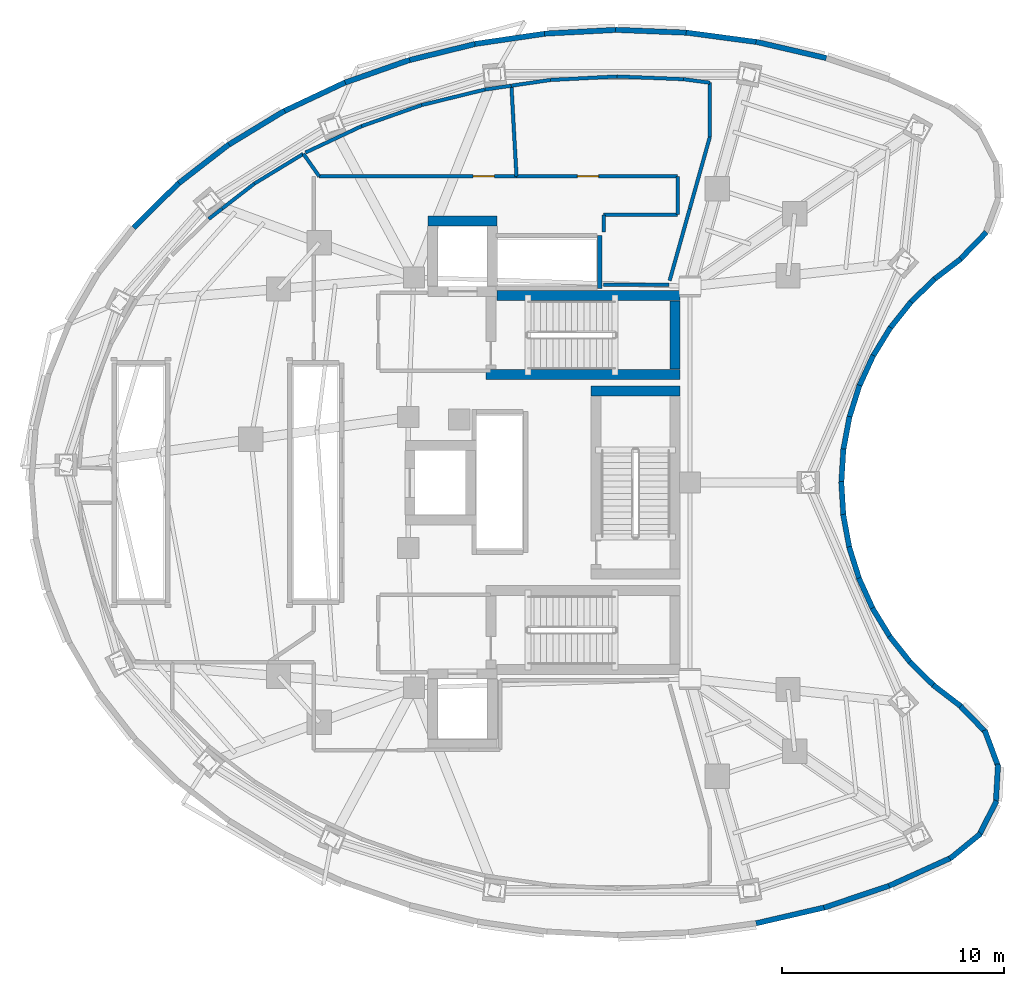
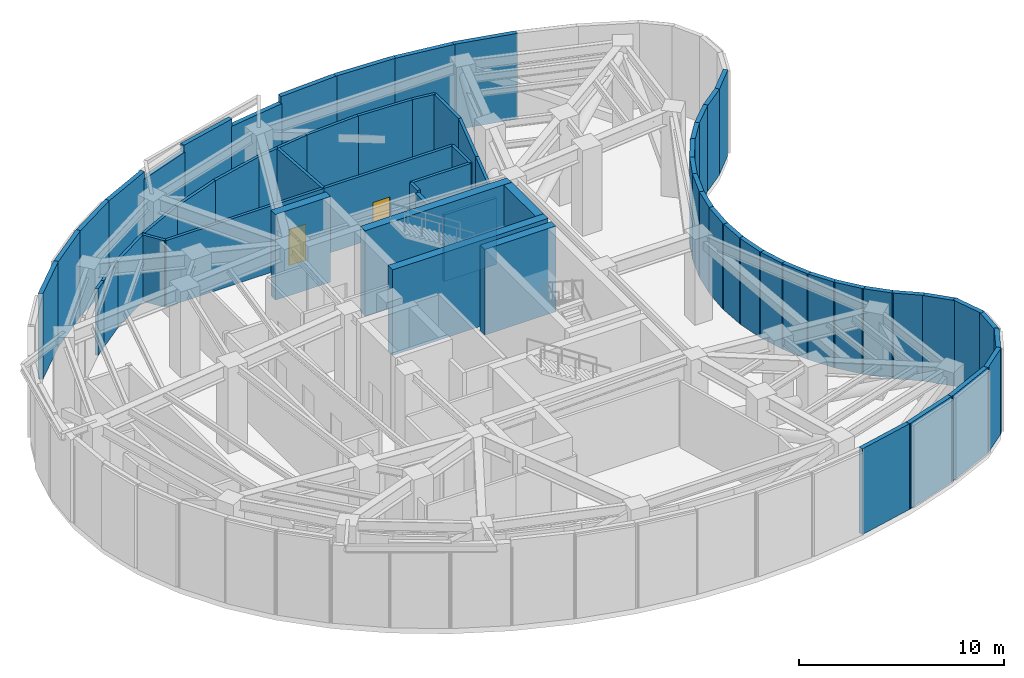
# One storey, part 6 of 10: 64 walls, 2 doors, 2 openings.
"""IFC4 building model written with IfcOpenShell, lengths in metres."""

from ifc_helpers import new_model, si_unit, direction, frame, frame_2d, origin, place, context, subcontext, project, spatial, rectangle, extrude, material, layer, layer_set, type_object, element, fill, save


model = new_model("IFC4")

# Units and contexts
model_context = context("Model", 3, precision=1e-05, world=origin(), true_north=direction((0.0, 1.0)))
body_context = subcontext(model_context, "Body", "Model", "MODEL_VIEW")
ifc_project = project(units=[si_unit("LENGTHUNIT", "METRE"), si_unit("AREAUNIT", "SQUARE_METRE"), si_unit("VOLUMEUNIT", "CUBIC_METRE"), si_unit("PLANEANGLEUNIT", "RADIAN"), si_unit("MASSUNIT", "GRAM", prefix="KILO")], contexts=[model_context])

# Site, building, storey
site_placement = place(None, origin())
site = spatial("IfcSite", under=ifc_project, at=site_placement, CompositionType="ELEMENT")
building_placement = place(site_placement, origin())
building = spatial("IfcBuilding", under=site, at=building_placement, Name="Korentha Bioscience Tower", CompositionType="ELEMENT")
storey_placement = place(building_placement, frame((0.0, 0.0, 148.800048828125)))
storey = spatial("IfcBuildingStorey", under=building, at=storey_placement, Name="L34", CompositionType="ELEMENT", Elevation=148.800048828125)

# Wall, opening, door
ifc_material_1 = material(Name="Gypsum-Clad Steel Stud", Category="steel")
ifc_layer_1 = layer(ifc_material_1, 0.159912109375, Name="Gypsum-Clad Steel Stud")
ifc_layer_set_1 = layer_set([ifc_layer_1], Name="Gypsum-Clad Steel Stud (IW-C160)")
wall_type_1 = type_object("IfcWallType", Name="Fire-Rated Corridor Partition Wall 160", PredefinedType="PARTITIONING", material=ifc_layer_set_1)
wall_1_placement = place(storey_placement, frame((37.0, 40.81005859375, 0.0), z_axis=(0.0, 0.0, 1.0), x_axis=(-1.0, 0.0, 0.0)))
wall_1 = element("IfcWall", 1, at=wall_1_placement, inside=storey, type_object=wall_type_1, Name="L34 Chilled-Water Plate Heat-Exchanger Plant 02 Entrance Wall", PredefinedType="PARTITIONING", context=body_context, shape_type="SweptSolid", body=[
    extrude(rectangle(XDim=7.27001953125, YDim=0.159912109375, at=frame_2d((3.635009765625, 0.0))), origin(), (0.0, 0.0, 1.0), 3.9599609375),
])
opening_1_placement = place(wall_1_placement, frame((3.570068359375, 0.0, 0.0)))
opening_1 = element("IfcOpeningElement", 2, at=opening_1_placement, cuts=wall_1, Name="Opening FD-120D", PredefinedType="OPENING", context=body_context, shape_type="SweptSolid", body=[
    extrude(rectangle(XDim=0.949951171875, YDim=2.14990234375, at=frame_2d((0.47509765625, 1.074951171875))), frame((0.0, 0.0947265625, 0.0), z_axis=(0.0, -1.0, 0.0), x_axis=(1.0, 0.0, 0.0)), (0.0, 0.0, 1.0), 0.189697265625),
])
ifc_material_2 = material(Name="Heavy-Duty Insulated Steel", Category="steel")
door_type = type_object("IfcDoorType", Name="Plant & Riser Fire Door 950x2150 Left", OperationType="SINGLE_SWING_LEFT", PredefinedType="DOOR", material=ifc_material_2)
door_1_placement = place(opening_1_placement, origin())
door_1 = element("IfcDoor", 3, at=door_1_placement, inside=storey, type_object=door_type, Name="L34 Chilled-Water Plate Heat-Exchanger Plant 02 Door", OperationType="SINGLE_SWING_LEFT", OverallHeight=2.14990234375, OverallWidth=0.949951171875, PredefinedType="DOOR", context=body_context, shape_type="SweptSolid", body=[
    extrude(rectangle(XDim=0.949951171875, YDim=2.14990234375, at=frame_2d((0.47509765625, 1.074951171875))), frame((0.0, 0.02490234375, 0.0), z_axis=(0.0, -1.0, 0.0), x_axis=(1.0, 0.0, 0.0)), (0.0, 0.0, 1.0), 0.050048828125),
])
fill(opening_1, door_1)

wall_2_placement = place(storey_placement, frame((29.719970703125, 40.81005859375, 0.0), z_axis=(0.0, 0.0, 1.0), x_axis=(-1.0, 0.0, 0.0)))
wall_2 = element("IfcWall", 4, at=wall_2_placement, inside=storey, type_object=wall_type_1, Name="L34 Refuge Safe Holding Room Entrance Wall", PredefinedType="PARTITIONING", context=body_context, shape_type="SweptSolid", body=[
    extrude(rectangle(XDim=8.887451171875, YDim=0.159912109375, at=frame_2d((4.44384765625, 0.0))), origin(), (0.0, 0.0, 1.0), 3.9599609375),
])
opening_2_placement = place(wall_2_placement, frame((0.989990234375, 0.0, 0.0)))
opening_2 = element("IfcOpeningElement", 5, at=opening_2_placement, cuts=wall_2, Name="Opening FD-120D", PredefinedType="OPENING", context=body_context, shape_type="SweptSolid", body=[
    extrude(rectangle(XDim=0.949951171875, YDim=2.14990234375, at=frame_2d((0.47509765625, 1.074951171875))), frame((0.0, 0.0947265625, 0.0), z_axis=(0.0, -1.0, 0.0), x_axis=(1.0, 0.0, 0.0)), (0.0, 0.0, 1.0), 0.189697265625),
])
door_2_placement = place(opening_2_placement, origin())
door_2 = element("IfcDoor", 6, at=door_2_placement, inside=storey, type_object=door_type, Name="L34 Refuge Safe Holding Room Door", OperationType="SINGLE_SWING_LEFT", OverallHeight=2.14990234375, OverallWidth=0.949951171875, PredefinedType="DOOR", context=body_context, shape_type="SweptSolid", body=[
    extrude(rectangle(XDim=0.949951171875, YDim=2.14990234375, at=frame_2d((0.47509765625, 1.074951171875))), frame((0.0, 0.02490234375, 0.0), z_axis=(0.0, -1.0, 0.0), x_axis=(1.0, 0.0, 0.0)), (0.0, 0.0, 1.0), 0.050048828125),
])
fill(opening_2, door_2)

# Walls
wall_3_placement = place(storey_placement, frame((29.501708984375, 44.8955078125, 0.0), z_axis=(0.0, 0.0, 1.0), x_axis=(0.989448077953, 0.144887891265, 0.0)))
element("IfcWall", 7, at=wall_3_placement, inside=storey, type_object=wall_type_1, Name="L34 Interior Partition 027", PredefinedType="PARTITIONING", context=body_context, shape_type="SweptSolid", body=[
    extrude(rectangle(XDim=1.7744140625, YDim=0.159912109375, at=frame_2d((0.88720703125, 0.0))), origin(), (0.0, 0.0, 1.0), 3.9599609375),
])
wall_4_placement = place(storey_placement, frame((31.257568359375, 45.152587890625, 0.0), z_axis=(0.0, 0.0, 1.0), x_axis=(0.998638877547, 0.052157379655, 0.0)))
element("IfcWall", 8, at=wall_4_placement, inside=storey, type_object=wall_type_1, Name="L34 Interior Partition 028", PredefinedType="PARTITIONING", context=body_context, shape_type="SweptSolid", body=[
    extrude(rectangle(XDim=3.00048828125, YDim=0.159912109375, at=frame_2d((1.500244140625, 0.0))), origin(), (0.0, 0.0, 1.0), 3.9599609375),
])
wall_5_placement = place(storey_placement, frame((34.254150390625, 45.30908203125, 0.0), z_axis=(0.0, 0.0, 1.0), x_axis=(0.999189222559, -0.040260371605, 0.0)))
element("IfcWall", 9, at=wall_5_placement, inside=storey, type_object=wall_type_1, Name="L34 Interior Partition 029", PredefinedType="PARTITIONING", context=body_context, shape_type="SweptSolid", body=[
    extrude(rectangle(XDim=3.001708984375, YDim=0.159912109375, at=frame_2d((1.5009765625, 0.0))), origin(), (0.0, 0.0, 1.0), 3.9599609375),
])
wall_6_placement = place(storey_placement, frame((37.253662109375, 45.188232421875, 0.0), z_axis=(0.0, 0.0, 1.0), x_axis=(0.991155201979, -0.132707820379, 0.0)))
element("IfcWall", 10, at=wall_6_placement, inside=storey, type_object=wall_type_1, Name="L34 Interior Partition 030", PredefinedType="PARTITIONING", context=body_context, shape_type="SweptSolid", body=[
    extrude(rectangle(XDim=1.205078125, YDim=0.159912109375, at=frame_2d((0.6025390625, 0.0))), origin(), (0.0, 0.0, 1.0), 3.9599609375),
])
wall_7_placement = place(storey_placement, frame((38.447998046875, 45.028076171875, 0.0), z_axis=(0.0, 0.0, 1.0), x_axis=(0.0, -1.0, 0.0)))
element("IfcWall", 11, at=wall_7_placement, inside=storey, type_object=wall_type_1, Name="L34 Interior Partition 031", PredefinedType="PARTITIONING", context=body_context, shape_type="SweptSolid", body=[
    extrude(rectangle(XDim=2.443359375, YDim=0.159912109375, at=frame_2d((1.2216796875, 0.0))), origin(), (0.0, 0.0, 1.0), 3.9599609375),
])
wall_8_placement = place(storey_placement, frame((38.447998046875, 42.58447265625, 0.0), z_axis=(0.0, 0.0, 1.0), x_axis=(-0.269481539503, -0.963005555471, 0.0)))
element("IfcWall", 12, at=wall_8_placement, inside=storey, type_object=wall_type_1, Name="L34 Interior Partition 032", PredefinedType="PARTITIONING", context=body_context, shape_type="SweptSolid", body=[
    extrude(rectangle(XDim=3.356689453125, YDim=0.159912109375, at=frame_2d((1.67822265625, 0.0))), origin(), (0.0, 0.0, 1.0), 3.9599609375),
])
wall_9_placement = place(storey_placement, frame((37.542236328125, 39.347900390625, 0.0), z_axis=(0.0, 0.0, 1.0), x_axis=(-0.269438917313, -0.963017481584, 0.0)))
element("IfcWall", 13, at=wall_9_placement, inside=storey, type_object=wall_type_1, Name="L34 Interior Partition 033", PredefinedType="PARTITIONING", context=body_context, shape_type="SweptSolid", body=[
    extrude(rectangle(XDim=3.3662109375, YDim=0.159912109375, at=frame_2d((1.68310546875, 0.0))), origin(), (0.0, 0.0, 1.0), 3.9599609375),
])
wall_10_placement = place(storey_placement, frame((36.602294921875, 35.909912109375, 0.0), z_axis=(0.0, 0.0, 1.0), x_axis=(-1.0, 0.0, 0.0)))
element("IfcWall", 14, at=wall_10_placement, inside=storey, type_object=wall_type_1, Name="L34 Interior Partition 034", PredefinedType="PARTITIONING", context=body_context, shape_type="SweptSolid", body=[
    extrude(rectangle(XDim=2.952392578125, YDim=0.159912109375, at=frame_2d((1.47607421875, 0.0))), origin(), (0.0, 0.0, 1.0), 3.9599609375),
])
wall_11_placement = place(storey_placement, frame((33.659912109375, 38.2900390625, 0.0), z_axis=(0.0, 0.0, 1.0), x_axis=(0.0, 1.0, 0.0)))
element("IfcWall", 15, at=wall_11_placement, inside=storey, type_object=wall_type_1, Name="L34 Interior Partition 035", PredefinedType="PARTITIONING", context=body_context, shape_type="SweptSolid", body=[
    extrude(rectangle(XDim=0.780029296875, YDim=0.159912109375, at=frame_2d((0.39013671875, 0.0))), origin(), (0.0, 0.0, 1.0), 3.9599609375),
])
wall_12_placement = place(storey_placement, frame((33.659912109375, 39.070068359375, 0.0), z_axis=(0.0, 0.0, 1.0), x_axis=(1.0, 0.0, 0.0)))
element("IfcWall", 16, at=wall_12_placement, inside=storey, type_object=wall_type_1, Name="L34 Interior Partition 036", PredefinedType="PARTITIONING", context=body_context, shape_type="SweptSolid", body=[
    extrude(rectangle(XDim=3.340087890625, YDim=0.159912109375, at=frame_2d((1.669921875, 0.0))), origin(), (0.0, 0.0, 1.0), 3.9599609375),
])
wall_13_placement = place(storey_placement, frame((37.010009765625, 39.080078125, 0.0), z_axis=(0.0, 0.0, 1.0), x_axis=(0.0, 1.0, 0.0)))
element("IfcWall", 17, at=wall_13_placement, inside=storey, type_object=wall_type_1, Name="L34 Interior Partition 037", PredefinedType="PARTITIONING", context=body_context, shape_type="SweptSolid", body=[
    extrude(rectangle(XDim=1.719970703125, YDim=0.159912109375, at=frame_2d((0.85986328125, 0.0))), origin(), (0.0, 0.0, 1.0), 3.9599609375),
])
wall_14_placement = place(storey_placement, frame((29.72998046875, 40.81005859375, 0.0), z_axis=(0.0, 0.0, 1.0), x_axis=(-0.055846733283, 0.998439353382, 0.0)))
element("IfcWall", 18, at=wall_14_placement, inside=storey, type_object=wall_type_1, Name="L34 Interior Partition 038", PredefinedType="PARTITIONING", context=body_context, shape_type="SweptSolid", body=[
    extrude(rectangle(XDim=4.091796875, YDim=0.159912109375, at=frame_2d((2.0458984375, 0.0))), origin(), (0.0, 0.0, 1.0), 3.9599609375),
])
wall_15_placement = place(storey_placement, frame((22.74951171875, 43.071533203125, 0.0), z_axis=(0.0, 0.0, 1.0), x_axis=(0.943514716337, 0.331330620463, 0.0)))
element("IfcWall", 19, at=wall_15_placement, inside=storey, type_object=wall_type_1, Name="L34 Interior Partition 039", PredefinedType="PARTITIONING", context=body_context, shape_type="SweptSolid", body=[
    extrude(rectangle(XDim=2.873046875, YDim=0.159912109375, at=frame_2d((1.4365234375, 0.0))), origin(), (0.0, 0.0, 1.0), 3.9599609375),
])
wall_16_placement = place(storey_placement, frame((25.460205078125, 44.0234375, 0.0), z_axis=(0.0, 0.0, 1.0), x_axis=(0.971324762717, 0.237756609442, 0.0)))
element("IfcWall", 20, at=wall_16_placement, inside=storey, type_object=wall_type_1, Name="L34 Interior Partition 040", PredefinedType="PARTITIONING", context=body_context, shape_type="SweptSolid", body=[
    extrude(rectangle(XDim=2.934814453125, YDim=0.159912109375, at=frame_2d((1.46728515625, 0.0))), origin(), (0.0, 0.0, 1.0), 3.9599609375),
])
wall_17_placement = place(storey_placement, frame((28.310791015625, 44.72119140625, 0.0), z_axis=(0.0, 0.0, 1.0), x_axis=(0.989456774731, 0.144828488011, 0.0)))
element("IfcWall", 21, at=wall_17_placement, inside=storey, type_object=wall_type_1, Name="L34 Interior Partition 041", PredefinedType="PARTITIONING", context=body_context, shape_type="SweptSolid", body=[
    extrude(rectangle(XDim=1.193603515625, YDim=0.159912109375, at=frame_2d((0.5966796875, 0.0))), origin(), (0.0, 0.0, 1.0), 3.9599609375),
])
wall_18_placement = place(storey_placement, frame((20.83251953125, 40.81005859375, 0.0), z_axis=(0.0, 0.0, 1.0), x_axis=(-0.57363449767, 0.819111386249, 0.0)))
element("IfcWall", 22, at=wall_18_placement, inside=storey, type_object=wall_type_1, Name="L34 Interior Partition 042", PredefinedType="PARTITIONING", context=body_context, shape_type="SweptSolid", body=[
    extrude(rectangle(XDim=1.2373046875, YDim=0.159912109375, at=frame_2d((0.61865234375, 0.0))), origin(), (0.0, 0.0, 1.0), 3.9599609375),
])
wall_19_placement = place(storey_placement, frame((20.220703125, 41.8828125, 0.0), z_axis=(0.0, 0.0, 1.0), x_axis=(0.90499881039, 0.425414096137, 0.0)))
element("IfcWall", 23, at=wall_19_placement, inside=storey, type_object=wall_type_1, Name="L34 Interior Partition 043", PredefinedType="PARTITIONING", context=body_context, shape_type="SweptSolid", body=[
    extrude(rectangle(XDim=2.794189453125, YDim=0.159912109375, at=frame_2d((1.39697265625, 0.0))), origin(), (0.0, 0.0, 1.0), 3.9599609375),
])
wall_20_placement = place(storey_placement, frame((15.855712890625, 38.886962890625, 0.0), z_axis=(0.0, 0.0, 1.0), x_axis=(0.790521056918, 0.612434860674, 0.0)))
element("IfcWall", 24, at=wall_20_placement, inside=storey, type_object=wall_type_1, Name="L34 Interior Partition 050", PredefinedType="PARTITIONING", context=body_context, shape_type="SweptSolid", body=[
    extrude(rectangle(XDim=0.752685546875, YDim=0.159912109375, at=frame_2d((0.37646484375, 0.0))), origin(), (0.0, 0.0, 1.0), 3.9599609375),
])
wall_21_placement = place(storey_placement, frame((16.456298828125, 39.35205078125, 0.0), z_axis=(0.0, 0.0, 1.0), x_axis=(0.790479265766, 0.612488800219, 0.0)))
element("IfcWall", 25, at=wall_21_placement, inside=storey, type_object=wall_type_1, Name="L34 Interior Partition 051", PredefinedType="PARTITIONING", context=body_context, shape_type="SweptSolid", body=[
    extrude(rectangle(XDim=1.8408203125, YDim=0.159912109375, at=frame_2d((0.92041015625, 0.0))), origin(), (0.0, 0.0, 1.0), 3.9599609375),
])
wall_22_placement = place(storey_placement, frame((17.91162109375, 40.4794921875, 0.0), z_axis=(0.0, 0.0, 1.0), x_axis=(0.854545843444, 0.519375973118, 0.0)))
element("IfcWall", 26, at=wall_22_placement, inside=storey, type_object=wall_type_1, Name="L34 Interior Partition 052", PredefinedType="PARTITIONING", context=body_context, shape_type="SweptSolid", body=[
    extrude(rectangle(XDim=2.577880859375, YDim=0.159912109375, at=frame_2d((1.2890625, 0.0))), origin(), (0.0, 0.0, 1.0), 3.9599609375),
])
ifc_material_3 = material(Name="Autoclaved Aerated Concrete Block C25", Category="concrete")
ifc_layer_2 = layer(ifc_material_3, 0.199951171875, Name="Autoclaved Aerated Concrete Block C25")
ifc_layer_set_2 = layer_set([ifc_layer_2], Name="Autoclaved Aerated Concrete Block C25 (IW-S200)")
wall_type_2 = type_object("IfcWallType", Name="Lift and Riser Shaft Enclosure Wall 200", PredefinedType="PARTITIONING", material=ifc_layer_set_2)
wall_23_placement = place(storey_placement, frame((33.489990234375, 35.760009765625, 0.0), z_axis=(0.0, 0.0, 1.0), x_axis=(0.0, 1.0, 0.0)))
element("IfcWall", 27, at=wall_23_placement, inside=storey, type_object=wall_type_2, Name="L34 Lift Bank OBS Shaft Wall +X", PredefinedType="PARTITIONING", context=body_context, shape_type="SweptSolid", body=[
    extrude(rectangle(XDim=2.3798828125, YDim=0.199951171875, at=frame_2d((1.18994140625, 0.0))), origin(), (0.0, 0.0, 1.0), 3.9599609375),
])
ifc_material_4 = material(Name="Concrete C80", Category="concrete")
ifc_layer_3 = layer(ifc_material_4, 0.449951171875, Name="Concrete C80")
ifc_layer_set_3 = layer_set([ifc_layer_3], Name="Concrete C80 (CW-C80)")
wall_type_3 = type_object("IfcWallType", Name="Lower Core Shear Wall 450", PredefinedType="SHEAR", material=ifc_layer_set_3)
wall_24_placement = place(storey_placement, frame((28.85205078125, 35.425048828125, 0.0), z_axis=(0.0, 0.0, 1.0), x_axis=(1.0, 0.0, 0.0)))
element("IfcWall", 28, at=wall_24_placement, inside=storey, type_object=wall_type_3, Name="L34 Core Shear Wall ST1-N", PredefinedType="SHEAR", context=body_context, shape_type="SweptSolid", body=[
    extrude(rectangle(XDim=8.248046875, YDim=0.449951171875, at=frame_2d((4.1240234375, 0.0))), origin(), (0.0, 0.0, 1.0), 5.099853515625),
])
wall_25_placement = place(storey_placement, frame((28.35009765625, 31.875, 0.0), z_axis=(0.0, 0.0, 1.0), x_axis=(1.0, 0.0, 0.0)))
element("IfcWall", 29, at=wall_25_placement, inside=storey, type_object=wall_type_3, Name="L34 Core Shear Wall ST1-S", PredefinedType="SHEAR", context=body_context, shape_type="SweptSolid", body=[
    extrude(rectangle(XDim=8.75, YDim=0.449951171875, at=frame_2d((4.375, 0.0))), origin(), (0.0, 0.0, 1.0), 5.099853515625),
])
wall_26_placement = place(storey_placement, frame((36.875, 32.110107421875, 0.0), z_axis=(0.0, 0.0, 1.0), x_axis=(0.0, 1.0, 0.0)))
element("IfcWall", 30, at=wall_26_placement, inside=storey, type_object=wall_type_3, Name="L34 Core Shear Wall ST1-E", PredefinedType="SHEAR", context=body_context, shape_type="SweptSolid", body=[
    extrude(rectangle(XDim=3.079833984375, YDim=0.449951171875, at=frame_2d((1.5400390625, 0.0))), origin(), (0.0, 0.0, 1.0), 5.099853515625),
])
wall_27_placement = place(storey_placement, frame((33.10009765625, 31.125, 0.0), z_axis=(0.0, 0.0, 1.0), x_axis=(1.0, 0.0, 0.0)))
element("IfcWall", 31, at=wall_27_placement, inside=storey, type_object=wall_type_3, Name="L34 Core Shear Wall ST3-N", PredefinedType="SHEAR", context=body_context, shape_type="SweptSolid", body=[
    extrude(rectangle(XDim=4.0, YDim=0.449951171875, at=frame_2d((2.0, 0.0))), origin(), (0.0, 0.0, 1.0), 5.099853515625),
])
wall_28_placement = place(storey_placement, frame((25.75, 38.800048828125, 0.0), z_axis=(0.0, 0.0, 1.0), x_axis=(1.0, 0.0, 0.0)))
element("IfcWall", 32, at=wall_28_placement, inside=storey, type_object=wall_type_3, Name="L34 Core Shear Wall FFL2-N", PredefinedType="SHEAR", context=body_context, shape_type="SweptSolid", body=[
    extrude(rectangle(XDim=3.10009765625, YDim=0.449951171875, at=frame_2d((1.550048828125, 0.0))), origin(), (0.0, 0.0, 1.0), 5.099853515625),
])
ifc_material_5 = material(Name="Insulated Precast Concrete C40", Category="concrete")
ifc_layer_4 = layer(ifc_material_5, 0.239990234375, Name="Insulated Precast Concrete C40")
ifc_layer_set_4 = layer_set([ifc_layer_4], Name="Insulated Precast Concrete C40 (EW-PL240)")
wall_type_4 = type_object("IfcWallType", Name="Plant Acoustic Louvre Backup Wall 240", PredefinedType="STANDARD", material=ifc_layer_set_4)
wall_29_placement = place(storey_placement, frame((43.702880859375, 46.13818359375, 0.0), z_axis=(0.0, 0.0, 1.0), x_axis=(-0.97417327444, 0.225801752354, 0.0)))
element("IfcWall", 33, at=wall_29_placement, inside=storey, type_object=wall_type_4, Name="L34 Plant Louvre Backup Wall 03", PredefinedType="STANDARD", context=body_context, shape_type="SweptSolid", body=[
    extrude(rectangle(XDim=3.25439453125, YDim=0.239990234375, at=frame_2d((1.627197265625, 0.0))), origin(), (0.0, 0.0, 1.0), 5.099853515625),
])
wall_30_placement = place(storey_placement, frame((40.641845703125, 46.85302734375, 0.0), z_axis=(0.0, 0.0, 1.0), x_axis=(-0.991140852048, 0.132814951727, 0.0)))
element("IfcWall", 34, at=wall_30_placement, inside=storey, type_object=wall_type_4, Name="L34 Plant Louvre Backup Wall 04", PredefinedType="STANDARD", context=body_context, shape_type="SweptSolid", body=[
    extrude(rectangle(XDim=3.290283203125, YDim=0.239990234375, at=frame_2d((1.64501953125, 0.0))), origin(), (0.0, 0.0, 1.0), 5.099853515625),
])
wall_31_placement = place(storey_placement, frame((37.4912109375, 47.280517578125, 0.0), z_axis=(0.0, 0.0, 1.0), x_axis=(-0.999190668381, 0.040224472911, 0.0)))
element("IfcWall", 35, at=wall_31_placement, inside=storey, type_object=wall_type_4, Name="L34 Plant Louvre Backup Wall 05", PredefinedType="STANDARD", context=body_context, shape_type="SweptSolid", body=[
    extrude(rectangle(XDim=3.307861328125, YDim=0.239990234375, at=frame_2d((1.65380859375, 0.0))), origin(), (0.0, 0.0, 1.0), 5.099853515625),
])
wall_32_placement = place(storey_placement, frame((34.297119140625, 47.414306640625, 0.0), z_axis=(0.0, 0.0, 1.0), x_axis=(-0.998636933054, -0.052194596856, 0.0)))
element("IfcWall", 36, at=wall_32_placement, inside=storey, type_object=wall_type_4, Name="L34 Plant Louvre Backup Wall 06", PredefinedType="STANDARD", context=body_context, shape_type="SweptSolid", body=[
    extrude(rectangle(XDim=3.306884765625, YDim=0.239990234375, at=frame_2d((1.6533203125, 0.0))), origin(), (0.0, 0.0, 1.0), 5.099853515625),
])
wall_33_placement = place(storey_placement, frame((31.105224609375, 47.252685546875, 0.0), z_axis=(0.0, 0.0, 1.0), x_axis=(-0.989453275289, -0.144852393905, 0.0)))
element("IfcWall", 37, at=wall_33_placement, inside=storey, type_object=wall_type_4, Name="L34 Plant Louvre Backup Wall 07", PredefinedType="STANDARD", context=body_context, shape_type="SweptSolid", body=[
    extrude(rectangle(XDim=3.28662109375, YDim=0.239990234375, at=frame_2d((1.643310546875, 0.0))), origin(), (0.0, 0.0, 1.0), 4.669921875),
])
wall_34_placement = place(storey_placement, frame((27.96240234375, 46.798095703125, 0.0), z_axis=(0.0, 0.0, 1.0), x_axis=(-0.971319985241, -0.237776126368, 0.0)))
element("IfcWall", 38, at=wall_34_placement, inside=storey, type_object=wall_type_4, Name="L34 Plant Louvre Backup Wall 08", PredefinedType="STANDARD", context=body_context, shape_type="SweptSolid", body=[
    extrude(rectangle(XDim=3.248779296875, YDim=0.239990234375, at=frame_2d((1.62451171875, 0.0))), origin(), (0.0, 0.0, 1.0), 5.099853515625),
])
wall_35_placement = place(storey_placement, frame((24.913818359375, 46.057373046875, 0.0), z_axis=(0.0, 0.0, 1.0), x_axis=(-0.943485978809, -0.331412443626, 0.0)))
element("IfcWall", 39, at=wall_35_placement, inside=storey, type_object=wall_type_4, Name="L34 Plant Louvre Backup Wall 09", PredefinedType="STANDARD", context=body_context, shape_type="SweptSolid", body=[
    extrude(rectangle(XDim=3.194091796875, YDim=0.239990234375, at=frame_2d((1.59716796875, 0.0))), origin(), (0.0, 0.0, 1.0), 4.669921875),
])
wall_36_placement = place(storey_placement, frame((22.00390625, 45.04150390625, 0.0), z_axis=(0.0, 0.0, 1.0), x_axis=(-0.905004459278, -0.425402078847, 0.0)))
element("IfcWall", 40, at=wall_36_placement, inside=storey, type_object=wall_type_4, Name="L34 Plant Louvre Backup Wall 10", PredefinedType="STANDARD", context=body_context, shape_type="SweptSolid", body=[
    extrude(rectangle(XDim=3.1259765625, YDim=0.239990234375, at=frame_2d((1.56298828125, 0.0))), origin(), (0.0, 0.0, 1.0), 5.099853515625),
])
wall_37_placement = place(storey_placement, frame((19.274169921875, 43.764892578125, 0.0), z_axis=(0.0, 0.0, 1.0), x_axis=(-0.854572854074, -0.519331529063, 0.0)))
element("IfcWall", 41, at=wall_37_placement, inside=storey, type_object=wall_type_4, Name="L34 Plant Louvre Backup Wall 11", PredefinedType="STANDARD", context=body_context, shape_type="SweptSolid", body=[
    extrude(rectangle(XDim=3.04638671875, YDim=0.239990234375, at=frame_2d((1.523193359375, 0.0))), origin(), (0.0, 0.0, 1.0), 5.099853515625),
])
wall_38_placement = place(storey_placement, frame((16.764404296875, 42.247314453125, 0.0), z_axis=(0.0, 0.0, 1.0), x_axis=(-0.790518877524, -0.612437673791, 0.0)))
element("IfcWall", 42, at=wall_38_placement, inside=storey, type_object=wall_type_4, Name="L34 Plant Louvre Backup Wall 12", PredefinedType="STANDARD", context=body_context, shape_type="SweptSolid", body=[
    extrude(rectangle(XDim=2.9599609375, YDim=0.239990234375, at=frame_2d((1.47998046875, 0.0))), origin(), (0.0, 0.0, 1.0), 5.099853515625),
])
wall_39_placement = place(storey_placement, frame((14.510498046875, 40.510009765625, 0.0), z_axis=(0.0, 0.0, 1.0), x_axis=(-0.711430434375, -0.702756527572, 0.0)))
element("IfcWall", 43, at=wall_39_placement, inside=storey, type_object=wall_type_4, Name="L34 Plant Louvre Backup Wall 13", PredefinedType="STANDARD", context=body_context, shape_type="SweptSolid", body=[
    extrude(rectangle(XDim=2.870849609375, YDim=0.239990234375, at=frame_2d((1.435546875, 0.0))), origin(), (0.0, 0.0, 1.0), 5.099853515625),
])
wall_40_placement = place(storey_placement, frame((40.532470703125, 7.126953125, 0.0), z_axis=(0.0, 0.0, 1.0), x_axis=(0.97417327444, 0.225801752354, 0.0)))
element("IfcWall", 44, at=wall_40_placement, inside=storey, type_object=wall_type_4, Name="L34 Plant Louvre Backup Wall 34", PredefinedType="STANDARD", context=body_context, shape_type="SweptSolid", body=[
    extrude(rectangle(XDim=3.25439453125, YDim=0.239990234375, at=frame_2d((1.627197265625, 0.0))), origin(), (0.0, 0.0, 1.0), 5.099853515625),
])
wall_41_placement = place(storey_placement, frame((43.595703125, 7.831298828125, 0.0), z_axis=(0.0, 0.0, 1.0), x_axis=(0.947648965164, 0.319314012882, 0.0)))
element("IfcWall", 45, at=wall_41_placement, inside=storey, type_object=wall_type_4, Name="L34 Plant Louvre Backup Wall 35", PredefinedType="STANDARD", context=body_context, shape_type="SweptSolid", body=[
    extrude(rectangle(XDim=3.2021484375, YDim=0.239990234375, at=frame_2d((1.60107421875, 0.0))), origin(), (0.0, 0.0, 1.0), 5.099853515625),
])
wall_42_placement = place(storey_placement, frame((46.52587890625, 8.8125, 0.0), z_axis=(0.0, 0.0, 1.0), x_axis=(0.910627622645, 0.413227942999, 0.0)))
element("IfcWall", 46, at=wall_42_placement, inside=storey, type_object=wall_type_4, Name="L34 Plant Louvre Backup Wall 36", PredefinedType="STANDARD", context=body_context, shape_type="SweptSolid", body=[
    extrude(rectangle(XDim=3.135498046875, YDim=0.239990234375, at=frame_2d((1.56787109375, 0.0))), origin(), (0.0, 0.0, 1.0), 5.099853515625),
])
wall_43_placement = place(storey_placement, frame((49.2705078125, 10.03955078125, 0.0), z_axis=(0.0, 0.0, 1.0), x_axis=(0.774218282291, 0.632918676741, 0.0)))
element("IfcWall", 47, at=wall_43_placement, inside=storey, type_object=wall_type_4, Name="L34 Plant Louvre Backup Wall 37", PredefinedType="STANDARD", context=body_context, shape_type="SweptSolid", body=[
    extrude(rectangle(XDim=1.791748046875, YDim=0.239990234375, at=frame_2d((0.89599609375, 0.0))), origin(), (0.0, 0.0, 1.0), 5.099853515625),
])
wall_44_placement = place(storey_placement, frame((50.5654296875, 11.058837890625, 0.0), z_axis=(0.0, 0.0, 1.0), x_axis=(0.45422985356, 0.890884526824, 0.0)))
element("IfcWall", 48, at=wall_44_placement, inside=storey, type_object=wall_type_4, Name="L34 Plant Louvre Backup Wall 38", PredefinedType="STANDARD", context=body_context, shape_type="SweptSolid", body=[
    extrude(rectangle(XDim=1.7919921875, YDim=0.239990234375, at=frame_2d((0.89599609375, 0.0))), origin(), (0.0, 0.0, 1.0), 5.099853515625),
])
wall_45_placement = place(storey_placement, frame((51.3408203125, 12.51318359375, 0.0), z_axis=(0.0, 0.0, 1.0), x_axis=(0.057499905278, 0.998345511781, 0.0)))
element("IfcWall", 49, at=wall_45_placement, inside=storey, type_object=wall_type_4, Name="L34 Plant Louvre Backup Wall 39", PredefinedType="STANDARD", context=body_context, shape_type="SweptSolid", body=[
    extrude(rectangle(XDim=1.791748046875, YDim=0.239990234375, at=frame_2d((0.89599609375, 0.0))), origin(), (0.0, 0.0, 1.0), 5.099853515625),
])
wall_46_placement = place(storey_placement, frame((51.4658203125, 14.156494140625, 0.0), z_axis=(0.0, 0.0, 1.0), x_axis=(-0.348987012258, 0.937127560834, 0.0)))
element("IfcWall", 50, at=wall_46_placement, inside=storey, type_object=wall_type_4, Name="L34 Plant Louvre Backup Wall 40", PredefinedType="STANDARD", context=body_context, shape_type="SweptSolid", body=[
    extrude(rectangle(XDim=1.79150390625, YDim=0.239990234375, at=frame_2d((0.895751953125, 0.0))), origin(), (0.0, 0.0, 1.0), 5.099853515625),
])
wall_47_placement = place(storey_placement, frame((50.919189453125, 15.7109375, 0.0), z_axis=(0.0, 0.0, 1.0), x_axis=(-0.696399021903, 0.717654793262, 0.0)))
element("IfcWall", 51, at=wall_47_placement, inside=storey, type_object=wall_type_4, Name="L34 Plant Louvre Backup Wall 41", PredefinedType="STANDARD", context=body_context, shape_type="SweptSolid", body=[
    extrude(rectangle(XDim=1.791748046875, YDim=0.239990234375, at=frame_2d((0.89599609375, 0.0))), origin(), (0.0, 0.0, 1.0), 5.099853515625),
])
wall_48_placement = place(storey_placement, frame((49.7587890625, 16.9189453125, 0.0), z_axis=(0.0, 0.0, 1.0), x_axis=(-0.793347847141, 0.608768587755, 0.0)))
element("IfcWall", 52, at=wall_48_placement, inside=storey, type_object=wall_type_4, Name="L34 Plant Louvre Backup Wall 42", PredefinedType="STANDARD", context=body_context, shape_type="SweptSolid", body=[
    extrude(rectangle(XDim=1.566162109375, YDim=0.239990234375, at=frame_2d((0.783203125, 0.0))), origin(), (0.0, 0.0, 1.0), 5.099853515625),
])
wall_49_placement = place(storey_placement, frame((48.580810546875, 17.816650390625, 0.0), z_axis=(0.0, 0.0, 1.0), x_axis=(-0.713391110022, 0.700766098025, 0.0)))
element("IfcWall", 53, at=wall_49_placement, inside=storey, type_object=wall_type_4, Name="L34 Plant Louvre Backup Wall 43", PredefinedType="STANDARD", context=body_context, shape_type="SweptSolid", body=[
    extrude(rectangle(XDim=1.56640625, YDim=0.239990234375, at=frame_2d((0.783203125, 0.0))), origin(), (0.0, 0.0, 1.0), 5.099853515625),
])
wall_50_placement = place(storey_placement, frame((47.5205078125, 18.85107421875, 0.0), z_axis=(0.0, 0.0, 1.0), x_axis=(-0.622506205156, 0.782614863482, 0.0)))
element("IfcWall", 54, at=wall_50_placement, inside=storey, type_object=wall_type_4, Name="L34 Plant Louvre Backup Wall 44", PredefinedType="STANDARD", context=body_context, shape_type="SweptSolid", body=[
    extrude(rectangle(XDim=1.56591796875, YDim=0.239990234375, at=frame_2d((0.782958984375, 0.0))), origin(), (0.0, 0.0, 1.0), 5.099853515625),
])
for number, where, z_axis, x_axis, name in (
    (55, (46.594482421875, 20.007080078125, 0.0), (0.0, 0.0, 1.0), (-0.522565713596, 0.85259901183, 0.0), "L34 Plant Louvre Backup Wall 45"),
    (56, (45.81591796875, 21.26708984375, 0.0), (0.0, 0.0, 1.0), (-0.414624850813, 0.909992435731, 0.0), "L34 Plant Louvre Backup Wall 46"),
    (57, (45.197021484375, 22.61279296875, 0.0), (0.0, 0.0, 1.0), (-0.300706084453, 0.953716860904, 0.0), "L34 Plant Louvre Backup Wall 47"),
):
    element("IfcWall", number, at=place(storey_placement, frame(where, z_axis=z_axis, x_axis=x_axis)), inside=storey, type_object=wall_type_4, Name=name, PredefinedType="STANDARD", context=body_context, shape_type="SweptSolid", body=[
        extrude(rectangle(XDim=1.566162109375, YDim=0.239990234375, at=frame_2d((0.783203125, 0.0))), origin(), (0.0, 0.0, 1.0), 5.099853515625),
    ])
wall_51_placement = place(storey_placement, frame((44.74658203125, 24.02392578125, 0.0), z_axis=(0.0, 0.0, 1.0), x_axis=(-0.182245570097, 0.983253045853, 0.0)))
element("IfcWall", 58, at=wall_51_placement, inside=storey, type_object=wall_type_4, Name="L34 Plant Louvre Backup Wall 48", PredefinedType="STANDARD", context=body_context, shape_type="SweptSolid", body=[
    extrude(rectangle(XDim=1.56591796875, YDim=0.239990234375, at=frame_2d((0.782958984375, 0.0))), origin(), (0.0, 0.0, 1.0), 5.099853515625),
])
for number, where, z_axis, x_axis, name in (
    (59, (44.4716796875, 25.479248046875, 0.0), (0.0, 0.0, 1.0), (-0.060951588767, 0.998140723459, 0.0), "L34 Plant Louvre Backup Wall 49"),
    (60, (44.376220703125, 26.95751953125, 0.0), (0.0, 0.0, 1.0), (0.060951588767, 0.998140723459, 0.0), "L34 Plant Louvre Backup Wall 50"),
):
    element("IfcWall", number, at=place(storey_placement, frame(where, z_axis=z_axis, x_axis=x_axis)), inside=storey, type_object=wall_type_4, Name=name, PredefinedType="STANDARD", context=body_context, shape_type="SweptSolid", body=[
        extrude(rectangle(XDim=1.566162109375, YDim=0.239990234375, at=frame_2d((0.783203125, 0.0))), origin(), (0.0, 0.0, 1.0), 5.099853515625),
    ])
wall_52_placement = place(storey_placement, frame((44.461181640625, 28.436279296875, 0.0), z_axis=(0.0, 0.0, 1.0), x_axis=(0.182245570097, 0.983253045853, 0.0)))
element("IfcWall", 61, at=wall_52_placement, inside=storey, type_object=wall_type_4, Name="L34 Plant Louvre Backup Wall 51", PredefinedType="STANDARD", context=body_context, shape_type="SweptSolid", body=[
    extrude(rectangle(XDim=1.56591796875, YDim=0.239990234375, at=frame_2d((0.782958984375, 0.0))), origin(), (0.0, 0.0, 1.0), 5.099853515625),
])
for number, where, z_axis, x_axis, name in (
    (62, (44.72607421875, 29.8935546875, 0.0), (0.0, 0.0, 1.0), (0.300706084453, 0.953716860904, 0.0), "L34 Plant Louvre Backup Wall 52"),
    (63, (45.16650390625, 31.3076171875, 0.0), (0.0, 0.0, 1.0), (0.414624850813, 0.909992435731, 0.0), "L34 Plant Louvre Backup Wall 53"),
    (64, (45.776123046875, 32.65771484375, 0.0), (0.0, 0.0, 1.0), (0.522565713596, 0.85259901183, 0.0), "L34 Plant Louvre Backup Wall 54"),
):
    element("IfcWall", number, at=place(storey_placement, frame(where, z_axis=z_axis, x_axis=x_axis)), inside=storey, type_object=wall_type_4, Name=name, PredefinedType="STANDARD", context=body_context, shape_type="SweptSolid", body=[
        extrude(rectangle(XDim=1.566162109375, YDim=0.239990234375, at=frame_2d((0.783203125, 0.0))), origin(), (0.0, 0.0, 1.0), 5.099853515625),
    ])
wall_53_placement = place(storey_placement, frame((46.545654296875, 33.92333984375, 0.0), z_axis=(0.0, 0.0, 1.0), x_axis=(0.622506205156, 0.782614863482, 0.0)))
element("IfcWall", 65, at=wall_53_placement, inside=storey, type_object=wall_type_4, Name="L34 Plant Louvre Backup Wall 55", PredefinedType="STANDARD", context=body_context, shape_type="SweptSolid", body=[
    extrude(rectangle(XDim=1.56591796875, YDim=0.239990234375, at=frame_2d((0.782958984375, 0.0))), origin(), (0.0, 0.0, 1.0), 5.099853515625),
])
wall_54_placement = place(storey_placement, frame((47.46337890625, 35.085693359375, 0.0), z_axis=(0.0, 0.0, 1.0), x_axis=(0.713391110022, 0.700766098025, 0.0)))
element("IfcWall", 66, at=wall_54_placement, inside=storey, type_object=wall_type_4, Name="L34 Plant Louvre Backup Wall 56", PredefinedType="STANDARD", context=body_context, shape_type="SweptSolid", body=[
    extrude(rectangle(XDim=1.56640625, YDim=0.239990234375, at=frame_2d((0.783203125, 0.0))), origin(), (0.0, 0.0, 1.0), 5.099853515625),
])
wall_55_placement = place(storey_placement, frame((48.516357421875, 36.127685546875, 0.0), z_axis=(0.0, 0.0, 1.0), x_axis=(0.793347847141, 0.608768587755, 0.0)))
element("IfcWall", 67, at=wall_55_placement, inside=storey, type_object=wall_type_4, Name="L34 Plant Louvre Backup Wall 57", PredefinedType="STANDARD", context=body_context, shape_type="SweptSolid", body=[
    extrude(rectangle(XDim=1.566162109375, YDim=0.239990234375, at=frame_2d((0.783203125, 0.0))), origin(), (0.0, 0.0, 1.0), 5.099853515625),
])
wall_56_placement = place(storey_placement, frame((49.67138671875, 37.003173828125, 0.0), z_axis=(0.0, 0.0, 1.0), x_axis=(0.696399021903, 0.717654793262, 0.0)))
element("IfcWall", 68, at=wall_56_placement, inside=storey, type_object=wall_type_4, Name="L34 Plant Louvre Backup Wall 58", PredefinedType="STANDARD", context=body_context, shape_type="SweptSolid", body=[
    extrude(rectangle(XDim=1.791748046875, YDim=0.239990234375, at=frame_2d((0.89599609375, 0.0))), origin(), (0.0, 0.0, 1.0), 5.099853515625),
])

save(model, "model.ifc")
